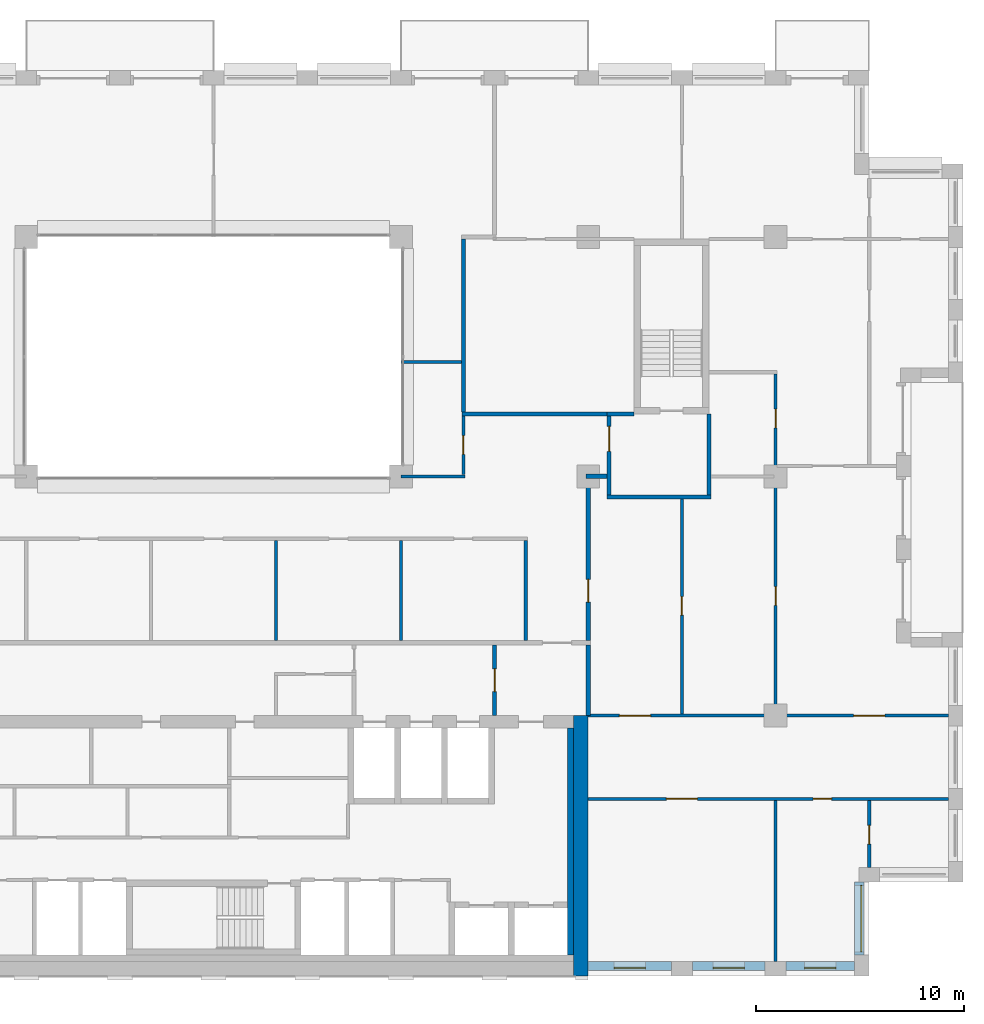
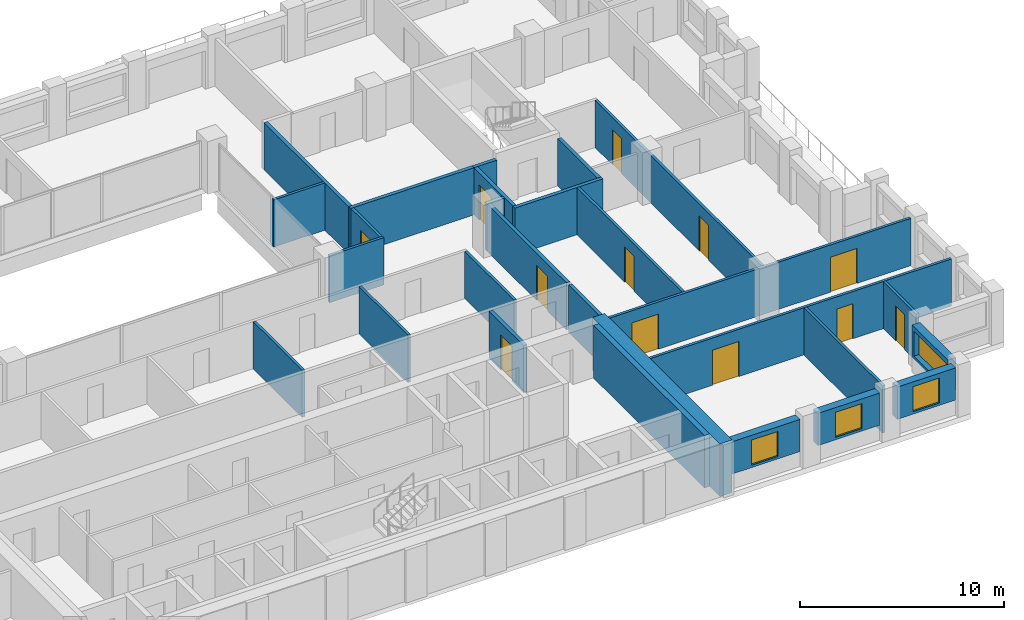
# One storey, part 11 of 16: 28 walls, 12 doors, 4 windows, 16 openings.
"""IFC4 building model written with IfcOpenShell, lengths in metres."""

from ifc_helpers import new_model, si_unit, direction, frame, frame_2d, origin, place, context, subcontext, project, spatial, rectangle, extrude, material, layer, layer_set, type_object, element, fill, save


model = new_model("IFC4")

# Units and contexts
model_context = context("Model", 3, precision=1e-05, world=origin(), true_north=direction((0.0, 1.0)))
body_context = subcontext(model_context, "Body", "Model", "MODEL_VIEW")
ifc_project = project(units=[si_unit("LENGTHUNIT", "METRE"), si_unit("AREAUNIT", "SQUARE_METRE"), si_unit("VOLUMEUNIT", "CUBIC_METRE"), si_unit("PLANEANGLEUNIT", "RADIAN"), si_unit("MASSUNIT", "GRAM", prefix="KILO")], contexts=[model_context])

# Site, building, storey
site_placement = place(None, origin())
site = spatial("IfcSite", under=ifc_project, at=site_placement, CompositionType="ELEMENT")
building_placement = place(site_placement, origin())
building = spatial("IfcBuilding", under=site, at=building_placement, Name="Brigalow Station Residences", CompositionType="ELEMENT")
storey_placement = place(building_placement, frame((0.0, 0.0, 160.199951171875)))
storey = spatial("IfcBuildingStorey", under=building, at=storey_placement, Name="L46", CompositionType="ELEMENT", Elevation=160.199951171875)

# Wall, opening, window
ifc_material_1 = material(Name="Clay brick masonry", Category="masonry")
ifc_layer_1 = layer(ifc_material_1, 0.449951171875)
ifc_layer_set_1 = layer_set([ifc_layer_1], Name="BRICK INFILL WALL 450")
wall_type_1 = type_object("IfcWallType", Name="BRICK INFILL WALL 450", PredefinedType="SOLIDWALL", material=ifc_layer_set_1)
wall_1_placement = place(storey_placement, frame((54.0, 0.47509765625, 0.900146484375), z_axis=(0.0, 0.0, 1.0), x_axis=(1.0, 0.0, 0.0)))
wall_1 = element("IfcWall", 1, at=wall_1_placement, inside=storey, type_object=wall_type_1, Name="L46/ewall/W-L46-4", PredefinedType="SOLIDWALL", context=body_context, shape_type="SweptSolid", body=[
    extrude(rectangle(XDim=4.0, YDim=0.449951171875, at=frame_2d((2.0, 0.0))), origin(), (0.0, 0.0, 1.0), 1.929931640625),
])
opening_1_placement = place(wall_1_placement, frame((1.25, 0.0, 0.14990234375)))
opening_1 = element("IfcOpeningElement", 2, at=opening_1_placement, cuts=wall_1, Name="Opening WT-1", PredefinedType="OPENING", context=body_context, shape_type="SweptSolid", body=[
    extrude(rectangle(XDim=1.5, YDim=1.5, at=frame_2d((0.75, 0.75))), frame((0.0, 0.23486328125, 0.0), z_axis=(0.0, -1.0, 0.0), x_axis=(1.0, 0.0, 0.0)), (0.0, 0.0, 1.0), 0.469970703125),
])
ifc_material_2 = material(Name="Anodised aluminium frame with double glazing", Category="aluminium")
window_type_1 = type_object("IfcWindowType", Name="WINDOW 1500x1500", PartitioningType="SINGLE_PANEL", PredefinedType="WINDOW", material=ifc_material_2)
window_1_placement = place(opening_1_placement, origin())
window_1 = element("IfcWindow", 3, at=window_1_placement, inside=storey, type_object=window_type_1, Name="L46/window/W-L46-4", OverallHeight=1.5, OverallWidth=1.5, PartitioningType="SINGLE_PANEL", PredefinedType="WINDOW", context=body_context, shape_type="SweptSolid", body=[
    extrude(rectangle(XDim=1.5, YDim=1.5, at=frame_2d((0.75, 0.75))), frame((0.0, -0.06494140625, 0.0), z_axis=(0.0, -1.0, 0.0), x_axis=(1.0, 0.0, 0.0)), (0.0, 0.0, 1.0), 0.06005859375),
])
fill(opening_1, window_1)

wall_2_placement = place(storey_placement, frame((59.0, 0.47509765625, 0.900146484375), z_axis=(0.0, 0.0, 1.0), x_axis=(1.0, 0.0, 0.0)))
wall_2 = element("IfcWall", 4, at=wall_2_placement, inside=storey, type_object=wall_type_1, Name="L46/ewall/W-L46-5", PredefinedType="SOLIDWALL", context=body_context, shape_type="SweptSolid", body=[
    extrude(rectangle(XDim=3.5, YDim=0.449951171875, at=frame_2d((1.75, 0.0))), origin(), (0.0, 0.0, 1.0), 1.929931640625),
])
opening_2_placement = place(wall_2_placement, frame((1.0, 0.0, 0.14990234375)))
opening_2 = element("IfcOpeningElement", 5, at=opening_2_placement, cuts=wall_2, Name="Opening WT-1", PredefinedType="OPENING", context=body_context, shape_type="SweptSolid", body=[
    extrude(rectangle(XDim=1.5, YDim=1.5, at=frame_2d((0.75, 0.75))), frame((0.0, 0.23486328125, 0.0), z_axis=(0.0, -1.0, 0.0), x_axis=(1.0, 0.0, 0.0)), (0.0, 0.0, 1.0), 0.469970703125),
])
window_2_placement = place(opening_2_placement, origin())
window_2 = element("IfcWindow", 6, at=window_2_placement, inside=storey, type_object=window_type_1, Name="L46/window/W-L46-5", OverallHeight=1.5, OverallWidth=1.5, PartitioningType="SINGLE_PANEL", PredefinedType="WINDOW", context=body_context, shape_type="SweptSolid", body=[
    extrude(rectangle(XDim=1.5, YDim=1.5, at=frame_2d((0.75, 0.75))), frame((0.0, -0.06494140625, 0.0), z_axis=(0.0, -1.0, 0.0), x_axis=(1.0, 0.0, 0.0)), (0.0, 0.0, 1.0), 0.06005859375),
])
fill(opening_2, window_2)

wall_3_placement = place(storey_placement, frame((63.5, 0.47509765625, 0.900146484375), z_axis=(0.0, 0.0, 1.0), x_axis=(1.0, 0.0, 0.0)))
wall_3 = element("IfcWall", 7, at=wall_3_placement, inside=storey, type_object=wall_type_1, Name="L46/ewall/W-L46-6", PredefinedType="SOLIDWALL", context=body_context, shape_type="SweptSolid", body=[
    extrude(rectangle(XDim=3.300048828125, YDim=0.449951171875, at=frame_2d((1.64990234375, 0.0))), origin(), (0.0, 0.0, 1.0), 1.929931640625),
])
opening_3_placement = place(wall_3_placement, frame((0.89990234375, 0.0, 0.14990234375)))
opening_3 = element("IfcOpeningElement", 8, at=opening_3_placement, cuts=wall_3, Name="Opening WT-1", PredefinedType="OPENING", context=body_context, shape_type="SweptSolid", body=[
    extrude(rectangle(XDim=1.5, YDim=1.5, at=frame_2d((0.75, 0.75))), frame((0.0, 0.23486328125, 0.0), z_axis=(0.0, -1.0, 0.0), x_axis=(1.0, 0.0, 0.0)), (0.0, 0.0, 1.0), 0.469970703125),
])
window_3_placement = place(opening_3_placement, origin())
window_3 = element("IfcWindow", 9, at=window_3_placement, inside=storey, type_object=window_type_1, Name="L46/window/W-L46-6", OverallHeight=1.5, OverallWidth=1.5, PartitioningType="SINGLE_PANEL", PredefinedType="WINDOW", context=body_context, shape_type="SweptSolid", body=[
    extrude(rectangle(XDim=1.5, YDim=1.5, at=frame_2d((0.75, 0.75))), frame((0.0, -0.06494140625, 0.0), z_axis=(0.0, -1.0, 0.0), x_axis=(1.0, 0.0, 0.0)), (0.0, 0.0, 1.0), 0.06005859375),
])
fill(opening_3, window_3)

wall_4_placement = place(storey_placement, frame((67.02490234375, 1.0, 0.900146484375), z_axis=(0.0, 0.0, 1.0), x_axis=(0.0, 1.0, 0.0)))
wall_4 = element("IfcWall", 10, at=wall_4_placement, inside=storey, type_object=wall_type_1, Name="L46/ewall/W-L46-7", PredefinedType="SOLIDWALL", context=body_context, shape_type="SweptSolid", body=[
    extrude(rectangle(XDim=3.5, YDim=0.449951171875, at=frame_2d((1.75, 0.0))), origin(), (0.0, 0.0, 1.0), 1.929931640625),
])
opening_4_placement = place(wall_4_placement, frame((0.14990234375, 0.0, 0.14990234375)))
opening_4 = element("IfcOpeningElement", 11, at=opening_4_placement, cuts=wall_4, Name="Opening WT-9", PredefinedType="OPENING", context=body_context, shape_type="SweptSolid", body=[
    extrude(rectangle(XDim=3.199951171875, YDim=1.5, at=frame_2d((1.60009765625, 0.75))), frame((0.0, 0.23486328125, 0.0), z_axis=(0.0, -1.0, 0.0), x_axis=(1.0, 0.0, 0.0)), (0.0, 0.0, 1.0), 0.469970703125),
])
ifc_material_3 = material(Name="Anodised aluminium frame with double glazing", Category="aluminium")
window_type_2 = type_object("IfcWindowType", Name="WINDOW 3200x1500", PartitioningType="SINGLE_PANEL", PredefinedType="WINDOW", material=ifc_material_3)
window_4_placement = place(opening_4_placement, origin())
window_4 = element("IfcWindow", 12, at=window_4_placement, inside=storey, type_object=window_type_2, Name="L46/window/W-L46-7", OverallHeight=1.5, OverallWidth=3.199951171875, PartitioningType="SINGLE_PANEL", PredefinedType="WINDOW", context=body_context, shape_type="SweptSolid", body=[
    extrude(rectangle(XDim=3.199951171875, YDim=1.5, at=frame_2d((1.60009765625, 0.75))), frame((0.0, -0.06494140625, 0.0), z_axis=(0.0, -1.0, 0.0), x_axis=(1.0, 0.0, 0.0)), (0.0, 0.0, 1.0), 0.06005859375),
])
fill(opening_4, window_4)

# Walls
ifc_material_4 = material(Name="Concrete C65", Category="concrete")
ifc_layer_2 = layer(ifc_material_4, 0.300048828125)
ifc_layer_set_2 = layer_set([ifc_layer_2], Name="CORE SHEAR WALL 300 C65")
wall_type_2 = type_object("IfcWallType", Name="CORE SHEAR WALL 300 C65", PredefinedType="SHEAR", material=ifc_layer_set_2)
wall_5_placement = place(storey_placement, frame((53.14990234375, 1.0, 0.0), z_axis=(0.0, 0.0, 1.0), x_axis=(0.0, 1.0, 0.0)))
element("IfcWall", 13, at=wall_5_placement, inside=storey, type_object=wall_type_2, Name="CORE WALL LIN-E L46", PredefinedType="SHEAR", context=body_context, shape_type="SweptSolid", body=[
    extrude(rectangle(XDim=10.89990234375, YDim=0.300048828125, at=frame_2d((5.449951171875, 0.0))), origin(), (0.0, 0.0, 1.0), 3.150146484375),
])
ifc_material_5 = material(Name="Concrete C65", Category="concrete")
ifc_layer_3 = layer(ifc_material_5, 0.699951171875)
ifc_layer_set_3 = layer_set([ifc_layer_3], Name="CORE SHEAR WALL 700 C65")
wall_type_3 = type_object("IfcWallType", Name="CORE SHEAR WALL 700 C65", PredefinedType="SHEAR", material=ifc_layer_set_3)
wall_6_placement = place(storey_placement, frame((53.64990234375, 0.0, 0.0), z_axis=(0.0, 0.0, 1.0), x_axis=(0.0, 1.0, 0.0)))
element("IfcWall", 14, at=wall_6_placement, inside=storey, type_object=wall_type_3, Name="CORE WALL OUT-E L46", PredefinedType="SHEAR", context=body_context, shape_type="SweptSolid", body=[
    extrude(rectangle(XDim=12.5, YDim=0.699951171875, at=frame_2d((6.25, 0.0))), origin(), (0.0, 0.0, 1.0), 3.150146484375),
])
ifc_material_6 = material(Name="Concrete blockwork", Category="masonry")
ifc_layer_4 = layer(ifc_material_6, 0.199951171875)
ifc_layer_set_4 = layer_set([ifc_layer_4], Name="FIRE RATED CORE PARTITION 200")
wall_type_4 = type_object("IfcWallType", Name="FIRE RATED CORE PARTITION 200", PredefinedType="PARTITIONING", material=ifc_layer_set_4)
wall_7_placement = place(storey_placement, frame((54.89990234375, 23.0, 0.0), z_axis=(0.0, 0.0, 1.0), x_axis=(1.0, 0.0, 0.0)))
element("IfcWall", 15, at=wall_7_placement, inside=storey, type_object=wall_type_4, Name="PW-5024", PredefinedType="PARTITIONING", context=body_context, shape_type="SweptSolid", body=[
    extrude(rectangle(XDim=5.0, YDim=0.199951171875, at=frame_2d((2.5, 0.0))), origin(), (0.0, 0.0, 1.0), 2.830078125),
])
wall_8_placement = place(storey_placement, frame((54.89990234375, 27.0, 0.0), z_axis=(0.0, 0.0, 1.0), x_axis=(1.0, 0.0, 0.0)))
element("IfcWall", 16, at=wall_8_placement, inside=storey, type_object=wall_type_4, Name="PW-5026", PredefinedType="PARTITIONING", context=body_context, shape_type="SweptSolid", body=[
    extrude(rectangle(XDim=1.300048828125, YDim=0.199951171875, at=frame_2d((0.64990234375, 0.0))), origin(), (0.0, 0.0, 1.0), 2.830078125),
])

# Wall, opening, door
wall_9_placement = place(storey_placement, frame((49.5, 12.5, 0.0), z_axis=(0.0, 0.0, 1.0), x_axis=(0.0, 1.0, 0.0)))
wall_9 = element("IfcWall", 17, at=wall_9_placement, inside=storey, type_object=wall_type_4, Name="PW-5015", PredefinedType="PARTITIONING", context=body_context, shape_type="SweptSolid", body=[
    extrude(rectangle(XDim=3.39990234375, YDim=0.199951171875, at=frame_2d((1.699951171875, 0.0))), origin(), (0.0, 0.0, 1.0), 2.830078125),
])
opening_5_placement = place(wall_9_placement, frame((1.14990234375, 0.0, 0.0)))
opening_5 = element("IfcOpeningElement", 18, at=opening_5_placement, cuts=wall_9, Name="Opening D-5014", PredefinedType="OPENING", context=body_context, shape_type="SweptSolid", body=[
    extrude(rectangle(XDim=1.10009765625, YDim=2.10009765625, at=frame_2d((0.550048828125, 1.050048828125))), frame((0.0, 0.10986328125, 0.0), z_axis=(0.0, -1.0, 0.0), x_axis=(1.0, 0.0, 0.0)), (0.0, 0.0, 1.0), 0.219970703125),
])
ifc_material_7 = material(Name="Steel fire door leaf in steel frame", Category="steel")
door_type_1 = type_object("IfcDoorType", Name="LOBBY DOOR 1100 x 2100 FD60S", OperationType="SINGLE_SWING_LEFT", PredefinedType="DOOR", material=ifc_material_7)
door_1_placement = place(opening_5_placement, origin())
door_1 = element("IfcDoor", 19, at=door_1_placement, inside=storey, type_object=door_type_1, Name="D-5014", OperationType="SINGLE_SWING_LEFT", OverallHeight=2.10009765625, OverallWidth=1.10009765625, PredefinedType="DOOR", context=body_context, shape_type="SweptSolid", body=[
    extrude(rectangle(XDim=1.10009765625, YDim=2.10009765625, at=frame_2d((0.550048828125, 1.050048828125))), frame((0.0, 0.02490234375, 0.0), z_axis=(0.0, -1.0, 0.0), x_axis=(1.0, 0.0, 0.0)), (0.0, 0.0, 1.0), 0.050048828125),
])
fill(opening_5, door_1)

# Wall
wall_10_placement = place(storey_placement, frame((54.0, 12.5, 0.0), z_axis=(0.0, 0.0, 1.0), x_axis=(0.0, 1.0, 0.0)))
element("IfcWall", 20, at=wall_10_placement, inside=storey, type_object=wall_type_4, Name="PW-5016", PredefinedType="PARTITIONING", context=body_context, shape_type="SweptSolid", body=[
    extrude(rectangle(XDim=3.39990234375, YDim=0.199951171875, at=frame_2d((1.699951171875, 0.0))), origin(), (0.0, 0.0, 1.0), 2.830078125),
])

# Wall, opening, door
wall_11_placement = place(storey_placement, frame((55.0, 23.10009765625, 0.0), z_axis=(0.0, 0.0, 1.0), x_axis=(0.0, 1.0, 0.0)))
wall_11 = element("IfcWall", 21, at=wall_11_placement, inside=storey, type_object=wall_type_4, Name="PW-5036", PredefinedType="PARTITIONING", context=body_context, shape_type="SweptSolid", body=[
    extrude(rectangle(XDim=3.7998046875, YDim=0.199951171875, at=frame_2d((1.89990234375, 0.0))), origin(), (0.0, 0.0, 1.0), 2.830078125),
])
opening_6_placement = place(wall_11_placement, frame((2.10009765625, 0.0, 0.0)))
opening_6 = element("IfcOpeningElement", 22, at=opening_6_placement, cuts=wall_11, Name="Opening D-5019", PredefinedType="OPENING", context=body_context, shape_type="SweptSolid", body=[
    extrude(rectangle(XDim=1.199951171875, YDim=2.10009765625, at=frame_2d((0.60009765625, 1.050048828125))), frame((0.0, 0.10986328125, 0.0), z_axis=(0.0, -1.0, 0.0), x_axis=(1.0, 0.0, 0.0)), (0.0, 0.0, 1.0), 0.219970703125),
])
ifc_material_8 = material(Name="Steel fire door leaf in steel frame", Category="steel")
door_type_2 = type_object("IfcDoorType", Name="STAIR LOBBY DOOR 1200 x 2100 FD60S", OperationType="SINGLE_SWING_LEFT", PredefinedType="DOOR", material=ifc_material_8)
door_2_placement = place(opening_6_placement, frame((1.199951171875, 0.0, 0.0), z_axis=(0.0, 0.0, 1.0), x_axis=(-1.0, 0.0, 0.0)))
door_2 = element("IfcDoor", 23, at=door_2_placement, inside=storey, type_object=door_type_2, Name="D-5019", OperationType="SINGLE_SWING_LEFT", OverallHeight=2.10009765625, OverallWidth=1.199951171875, PredefinedType="DOOR", context=body_context, shape_type="SweptSolid", body=[
    extrude(rectangle(XDim=1.199951171875, YDim=2.10009765625, at=frame_2d((0.60009765625, 1.050048828125))), frame((0.0, 0.02490234375, 0.0), z_axis=(0.0, -1.0, 0.0), x_axis=(1.0, 0.0, 0.0)), (0.0, 0.0, 1.0), 0.050048828125),
])
fill(opening_6, door_2)

# Walls
wall_12_placement = place(storey_placement, frame((59.800048828125, 23.10009765625, 0.0), z_axis=(0.0, 0.0, 1.0), x_axis=(0.0, 1.0, 0.0)))
element("IfcWall", 24, at=wall_12_placement, inside=storey, type_object=wall_type_4, Name="PW-5037", PredefinedType="PARTITIONING", context=body_context, shape_type="SweptSolid", body=[
    extrude(rectangle(XDim=3.89990234375, YDim=0.199951171875, at=frame_2d((1.949951171875, 0.0))), origin(), (0.0, 0.0, 1.0), 2.830078125),
])
ifc_material_9 = material(Name="Plasterboard on steel stud partition", Category="steel")
ifc_layer_5 = layer(ifc_material_9, 0.14990234375)
ifc_layer_set_5 = layer_set([ifc_layer_5], Name="FLAT PARTITION 150")
wall_type_5 = type_object("IfcWallType", Name="FLAT PARTITION 150", PredefinedType="PARTITIONING", material=ifc_layer_set_5)
wall_13_placement = place(storey_placement, frame((45.0, 24.0, 0.0), z_axis=(0.0, 0.0, 1.0), x_axis=(1.0, 0.0, 0.0)))
element("IfcWall", 25, at=wall_13_placement, inside=storey, type_object=wall_type_5, Name="PW-3C02", PredefinedType="PARTITIONING", context=body_context, shape_type="SweptSolid", body=[
    extrude(rectangle(XDim=3.074951171875, YDim=0.14990234375, at=frame_2d((1.53759765625, 0.0))), origin(), (0.0, 0.0, 1.0), 2.830078125),
])

# Wall, openings, doors
wall_14_placement = place(storey_placement, frame((54.0, 8.5, 0.0), z_axis=(0.0, 0.0, 1.0), x_axis=(1.0, 0.0, 0.0)))
wall_14 = element("IfcWall", 26, at=wall_14_placement, inside=storey, type_object=wall_type_5, Name="PW-3C10", PredefinedType="PARTITIONING", context=body_context, shape_type="SweptSolid", body=[
    extrude(rectangle(XDim=17.300048828125, YDim=0.14990234375, at=frame_2d((8.64990234375, 0.0))), origin(), (0.0, 0.0, 1.0), 2.830078125),
])
opening_7_placement = place(wall_14_placement, frame((3.75, 0.0, 0.0)))
opening_7 = element("IfcOpeningElement", 27, at=opening_7_placement, cuts=wall_14, Name="Opening D-3C18", PredefinedType="OPENING", context=body_context, shape_type="SweptSolid", body=[
    extrude(rectangle(XDim=1.5, YDim=2.10009765625, at=frame_2d((0.75, 1.050048828125))), frame((0.0, 0.0849609375, 0.0), z_axis=(0.0, -1.0, 0.0), x_axis=(1.0, 0.0, 0.0)), (0.0, 0.0, 1.0), 0.169921875),
])
opening_8_placement = place(wall_14_placement, frame((10.800048828125, 0.0, 0.0)))
opening_8 = element("IfcOpeningElement", 28, at=opening_8_placement, cuts=wall_14, Name="Opening D-3C19", PredefinedType="OPENING", context=body_context, shape_type="SweptSolid", body=[
    extrude(rectangle(XDim=0.89990234375, YDim=2.10009765625, at=frame_2d((0.449951171875, 1.050048828125))), frame((0.0, 0.0849609375, 0.0), z_axis=(0.0, -1.0, 0.0), x_axis=(1.0, 0.0, 0.0)), (0.0, 0.0, 1.0), 0.169921875),
])
ifc_material_10 = material(Name="Solid-core timber door leaf", Category="wood")
door_type_3 = type_object("IfcDoorType", Name="INTERNAL DOOR 900 x 2100", OperationType="SINGLE_SWING_LEFT", PredefinedType="DOOR", material=ifc_material_10)
door_3_placement = place(opening_8_placement, frame((0.89990234375, 0.0, 0.0), z_axis=(0.0, 0.0, 1.0), x_axis=(-1.0, 0.0, 0.0)))
door_3 = element("IfcDoor", 29, at=door_3_placement, inside=storey, type_object=door_type_3, Name="D-3C19", OperationType="SINGLE_SWING_LEFT", OverallHeight=2.10009765625, OverallWidth=0.89990234375, PredefinedType="DOOR", context=body_context, shape_type="SweptSolid", body=[
    extrude(rectangle(XDim=0.89990234375, YDim=2.10009765625, at=frame_2d((0.449951171875, 1.050048828125))), frame((0.0, 0.02490234375, 0.0), z_axis=(0.0, -1.0, 0.0), x_axis=(1.0, 0.0, 0.0)), (0.0, 0.0, 1.0), 0.050048828125),
])
fill(opening_8, door_3)
ifc_material_11 = material(Name="Solid-core timber door leaf", Category="wood")
door_type_4 = type_object("IfcDoorType", Name="INTERNAL DOUBLE DOOR 1500 x 2100", OperationType="DOUBLE_DOOR_SINGLE_SWING", PredefinedType="DOOR", material=ifc_material_11)
door_4_placement = place(opening_7_placement, origin())
door_4 = element("IfcDoor", 30, at=door_4_placement, inside=storey, type_object=door_type_4, Name="D-3C18", OperationType="DOUBLE_DOOR_SINGLE_SWING", OverallHeight=2.10009765625, OverallWidth=1.5, PredefinedType="DOOR", context=body_context, shape_type="SweptSolid", body=[
    extrude(rectangle(XDim=1.5, YDim=2.10009765625, at=frame_2d((0.75, 1.050048828125))), frame((0.0, 0.02490234375, 0.0), z_axis=(0.0, -1.0, 0.0), x_axis=(1.0, 0.0, 0.0)), (0.0, 0.0, 1.0), 0.050048828125),
])
fill(opening_7, door_4)

wall_15_placement = place(storey_placement, frame((54.0, 12.5, 0.0), z_axis=(0.0, 0.0, 1.0), x_axis=(1.0, 0.0, 0.0)))
wall_15 = element("IfcWall", 31, at=wall_15_placement, inside=storey, type_object=wall_type_5, Name="PW-3C13", PredefinedType="PARTITIONING", context=body_context, shape_type="SweptSolid", body=[
    extrude(rectangle(XDim=17.300048828125, YDim=0.14990234375, at=frame_2d((8.64990234375, 0.0))), origin(), (0.0, 0.0, 1.0), 2.830078125),
])
opening_9_placement = place(wall_15_placement, frame((1.5, 0.0, 0.0)))
opening_9 = element("IfcOpeningElement", 32, at=opening_9_placement, cuts=wall_15, Name="Opening D-3C16", PredefinedType="OPENING", context=body_context, shape_type="SweptSolid", body=[
    extrude(rectangle(XDim=1.5, YDim=2.10009765625, at=frame_2d((0.75, 1.050048828125))), frame((0.0, 0.0849609375, 0.0), z_axis=(0.0, -1.0, 0.0), x_axis=(1.0, 0.0, 0.0)), (0.0, 0.0, 1.0), 0.169921875),
])
opening_10_placement = place(wall_15_placement, frame((12.75, 0.0, 0.0)))
opening_10 = element("IfcOpeningElement", 33, at=opening_10_placement, cuts=wall_15, Name="Opening D-3C21", PredefinedType="OPENING", context=body_context, shape_type="SweptSolid", body=[
    extrude(rectangle(XDim=1.5, YDim=2.10009765625, at=frame_2d((0.75, 1.050048828125))), frame((0.0, 0.0849609375, 0.0), z_axis=(0.0, -1.0, 0.0), x_axis=(1.0, 0.0, 0.0)), (0.0, 0.0, 1.0), 0.169921875),
])
door_5_placement = place(opening_9_placement, origin())
door_5 = element("IfcDoor", 34, at=door_5_placement, inside=storey, type_object=door_type_4, Name="D-3C16", OperationType="DOUBLE_DOOR_SINGLE_SWING", OverallHeight=2.10009765625, OverallWidth=1.5, PredefinedType="DOOR", context=body_context, shape_type="SweptSolid", body=[
    extrude(rectangle(XDim=1.5, YDim=2.10009765625, at=frame_2d((0.75, 1.050048828125))), frame((0.0, 0.02490234375, 0.0), z_axis=(0.0, -1.0, 0.0), x_axis=(1.0, 0.0, 0.0)), (0.0, 0.0, 1.0), 0.050048828125),
])
fill(opening_9, door_5)
door_6_placement = place(opening_10_placement, frame((1.5, 0.0, 0.0), z_axis=(0.0, 0.0, 1.0), x_axis=(-1.0, 0.0, 0.0)))
door_6 = element("IfcDoor", 35, at=door_6_placement, inside=storey, type_object=door_type_4, Name="D-3C21", OperationType="DOUBLE_DOOR_SINGLE_SWING", OverallHeight=2.10009765625, OverallWidth=1.5, PredefinedType="DOOR", context=body_context, shape_type="SweptSolid", body=[
    extrude(rectangle(XDim=1.5, YDim=2.10009765625, at=frame_2d((0.75, 1.050048828125))), frame((0.0, 0.02490234375, 0.0), z_axis=(0.0, -1.0, 0.0), x_axis=(1.0, 0.0, 0.0)), (0.0, 0.0, 1.0), 0.050048828125),
])
fill(opening_10, door_6)

# Walls
wall_16_placement = place(storey_placement, frame((45.0, 29.5, 0.0), z_axis=(0.0, 0.0, 1.0), x_axis=(1.0, 0.0, 0.0)))
element("IfcWall", 36, at=wall_16_placement, inside=storey, type_object=wall_type_5, Name="PW-3C25", PredefinedType="PARTITIONING", context=body_context, shape_type="SweptSolid", body=[
    extrude(rectangle(XDim=2.89990234375, YDim=0.14990234375, at=frame_2d((1.449951171875, 0.0))), origin(), (0.0, 0.0, 1.0), 2.830078125),
])
wall_17_placement = place(storey_placement, frame((51.0, 16.10009765625, 0.0), z_axis=(0.0, 0.0, 1.0), x_axis=(0.0, 1.0, 0.0)))
element("IfcWall", 37, at=wall_17_placement, inside=storey, type_object=wall_type_5, Name="PW-3C31", PredefinedType="PARTITIONING", context=body_context, shape_type="SweptSolid", body=[
    extrude(rectangle(XDim=4.824951171875, YDim=0.14990234375, at=frame_2d((2.41259765625, 0.0))), origin(), (0.0, 0.0, 1.0), 2.830078125),
])

# Wall, opening, door
wall_18_placement = place(storey_placement, frame((48.0, 24.074951171875, 0.0), z_axis=(0.0, 0.0, 1.0), x_axis=(0.0, 1.0, 0.0)))
wall_18 = element("IfcWall", 38, at=wall_18_placement, inside=storey, type_object=wall_type_5, Name="PW-3C34", PredefinedType="PARTITIONING", context=body_context, shape_type="SweptSolid", body=[
    extrude(rectangle(XDim=2.824951171875, YDim=0.14990234375, at=frame_2d((1.41259765625, 0.0))), origin(), (0.0, 0.0, 1.0), 2.830078125),
])
opening_11_placement = place(wall_18_placement, frame((0.97509765625, 0.0, 0.0)))
opening_11 = element("IfcOpeningElement", 39, at=opening_11_placement, cuts=wall_18, Name="Opening D-3C32", PredefinedType="OPENING", context=body_context, shape_type="SweptSolid", body=[
    extrude(rectangle(XDim=0.89990234375, YDim=2.10009765625, at=frame_2d((0.449951171875, 1.050048828125))), frame((0.0, 0.0849609375, 0.0), z_axis=(0.0, -1.0, 0.0), x_axis=(1.0, 0.0, 0.0)), (0.0, 0.0, 1.0), 0.169921875),
])
door_7_placement = place(opening_11_placement, origin())
door_7 = element("IfcDoor", 40, at=door_7_placement, inside=storey, type_object=door_type_3, Name="D-3C32", OperationType="SINGLE_SWING_LEFT", OverallHeight=2.10009765625, OverallWidth=0.89990234375, PredefinedType="DOOR", context=body_context, shape_type="SweptSolid", body=[
    extrude(rectangle(XDim=0.89990234375, YDim=2.10009765625, at=frame_2d((0.449951171875, 1.050048828125))), frame((0.0, 0.02490234375, 0.0), z_axis=(0.0, -1.0, 0.0), x_axis=(1.0, 0.0, 0.0)), (0.0, 0.0, 1.0), 0.050048828125),
])
fill(opening_11, door_7)

wall_19_placement = place(storey_placement, frame((58.5, 12.574951171875, 0.0), z_axis=(0.0, 0.0, 1.0), x_axis=(0.0, 1.0, 0.0)))
wall_19 = element("IfcWall", 41, at=wall_19_placement, inside=storey, type_object=wall_type_5, Name="PW-3C41", PredefinedType="PARTITIONING", context=body_context, shape_type="SweptSolid", body=[
    extrude(rectangle(XDim=10.324951171875, YDim=0.14990234375, at=frame_2d((5.16259765625, 0.0))), origin(), (0.0, 0.0, 1.0), 2.830078125),
])
opening_12_placement = place(wall_19_placement, frame((4.75, 0.0, 0.0)))
opening_12 = element("IfcOpeningElement", 42, at=opening_12_placement, cuts=wall_19, Name="Opening D-3C17", PredefinedType="OPENING", context=body_context, shape_type="SweptSolid", body=[
    extrude(rectangle(XDim=0.89990234375, YDim=2.10009765625, at=frame_2d((0.449951171875, 1.050048828125))), frame((0.0, 0.0849609375, 0.0), z_axis=(0.0, -1.0, 0.0), x_axis=(1.0, 0.0, 0.0)), (0.0, 0.0, 1.0), 0.169921875),
])
door_8_placement = place(opening_12_placement, origin())
door_8 = element("IfcDoor", 43, at=door_8_placement, inside=storey, type_object=door_type_3, Name="D-3C17", OperationType="SINGLE_SWING_RIGHT", OverallHeight=2.10009765625, OverallWidth=0.89990234375, PredefinedType="DOOR", context=body_context, shape_type="SweptSolid", body=[
    extrude(rectangle(XDim=0.89990234375, YDim=2.10009765625, at=frame_2d((0.449951171875, 1.050048828125))), frame((0.0, 0.02490234375, 0.0), z_axis=(0.0, -1.0, 0.0), x_axis=(1.0, 0.0, 0.0)), (0.0, 0.0, 1.0), 0.050048828125),
])
fill(opening_12, door_8)

# Wall
wall_20_placement = place(storey_placement, frame((63.0, 0.699951171875, 0.0), z_axis=(0.0, 0.0, 1.0), x_axis=(0.0, 1.0, 0.0)))
element("IfcWall", 44, at=wall_20_placement, inside=storey, type_object=wall_type_5, Name="PW-3C43", PredefinedType="PARTITIONING", context=body_context, shape_type="SweptSolid", body=[
    extrude(rectangle(XDim=7.72509765625, YDim=0.14990234375, at=frame_2d((3.862548828125, 0.0))), origin(), (0.0, 0.0, 1.0), 2.830078125),
])

# Wall, openings, doors
wall_21_placement = place(storey_placement, frame((63.0, 12.574951171875, 0.0), z_axis=(0.0, 0.0, 1.0), x_axis=(0.0, 1.0, 0.0)))
wall_21 = element("IfcWall", 45, at=wall_21_placement, inside=storey, type_object=wall_type_5, Name="PW-3C44", PredefinedType="PARTITIONING", context=body_context, shape_type="SweptSolid", body=[
    extrude(rectangle(XDim=16.35009765625, YDim=0.14990234375, at=frame_2d((8.175048828125, 0.0))), origin(), (0.0, 0.0, 1.0), 2.830078125),
])
opening_13_placement = place(wall_21_placement, frame((5.22509765625, 0.0, 0.0)))
opening_13 = element("IfcOpeningElement", 46, at=opening_13_placement, cuts=wall_21, Name="Opening D-3C22", PredefinedType="OPENING", context=body_context, shape_type="SweptSolid", body=[
    extrude(rectangle(XDim=0.89990234375, YDim=2.10009765625, at=frame_2d((0.449951171875, 1.050048828125))), frame((0.0, 0.0849609375, 0.0), z_axis=(0.0, -1.0, 0.0), x_axis=(1.0, 0.0, 0.0)), (0.0, 0.0, 1.0), 0.169921875),
])
opening_14_placement = place(wall_21_placement, frame((13.75, 0.0, 0.0)))
opening_14 = element("IfcOpeningElement", 47, at=opening_14_placement, cuts=wall_21, Name="Opening D-3C24", PredefinedType="OPENING", context=body_context, shape_type="SweptSolid", body=[
    extrude(rectangle(XDim=0.89990234375, YDim=2.10009765625, at=frame_2d((0.449951171875, 1.050048828125))), frame((0.0, 0.0849609375, 0.0), z_axis=(0.0, -1.0, 0.0), x_axis=(1.0, 0.0, 0.0)), (0.0, 0.0, 1.0), 0.169921875),
])
door_9_placement = place(opening_13_placement, origin())
door_9 = element("IfcDoor", 48, at=door_9_placement, inside=storey, type_object=door_type_3, Name="D-3C22", OperationType="SINGLE_SWING_RIGHT", OverallHeight=2.10009765625, OverallWidth=0.89990234375, PredefinedType="DOOR", context=body_context, shape_type="SweptSolid", body=[
    extrude(rectangle(XDim=0.89990234375, YDim=2.10009765625, at=frame_2d((0.449951171875, 1.050048828125))), frame((0.0, 0.02490234375, 0.0), z_axis=(0.0, -1.0, 0.0), x_axis=(1.0, 0.0, 0.0)), (0.0, 0.0, 1.0), 0.050048828125),
])
fill(opening_13, door_9)
door_10_placement = place(opening_14_placement, origin())
door_10 = element("IfcDoor", 49, at=door_10_placement, inside=storey, type_object=door_type_3, Name="D-3C24", OperationType="SINGLE_SWING_RIGHT", OverallHeight=2.10009765625, OverallWidth=0.89990234375, PredefinedType="DOOR", context=body_context, shape_type="SweptSolid", body=[
    extrude(rectangle(XDim=0.89990234375, YDim=2.10009765625, at=frame_2d((0.449951171875, 1.050048828125))), frame((0.0, 0.02490234375, 0.0), z_axis=(0.0, -1.0, 0.0), x_axis=(1.0, 0.0, 0.0)), (0.0, 0.0, 1.0), 0.050048828125),
])
fill(opening_14, door_10)

# Wall, opening, door
wall_22_placement = place(storey_placement, frame((67.5, 5.199951171875, 0.0), z_axis=(0.0, 0.0, 1.0), x_axis=(0.0, 1.0, 0.0)))
wall_22 = element("IfcWall", 50, at=wall_22_placement, inside=storey, type_object=wall_type_5, Name="PW-3C45", PredefinedType="PARTITIONING", context=body_context, shape_type="SweptSolid", body=[
    extrude(rectangle(XDim=3.22509765625, YDim=0.14990234375, at=frame_2d((1.612548828125, 0.0))), origin(), (0.0, 0.0, 1.0), 2.830078125),
])
opening_15_placement = place(wall_22_placement, frame((1.125, 0.0, 0.0)))
opening_15 = element("IfcOpeningElement", 51, at=opening_15_placement, cuts=wall_22, Name="Opening D-3C20", PredefinedType="OPENING", context=body_context, shape_type="SweptSolid", body=[
    extrude(rectangle(XDim=0.89990234375, YDim=2.10009765625, at=frame_2d((0.449951171875, 1.050048828125))), frame((0.0, 0.0849609375, 0.0), z_axis=(0.0, -1.0, 0.0), x_axis=(1.0, 0.0, 0.0)), (0.0, 0.0, 1.0), 0.169921875),
])
door_11_placement = place(opening_15_placement, frame((0.89990234375, 0.0, 0.0), z_axis=(0.0, 0.0, 1.0), x_axis=(-1.0, 0.0, 0.0)))
door_11 = element("IfcDoor", 52, at=door_11_placement, inside=storey, type_object=door_type_3, Name="D-3C20", OperationType="SINGLE_SWING_RIGHT", OverallHeight=2.10009765625, OverallWidth=0.89990234375, PredefinedType="DOOR", context=body_context, shape_type="SweptSolid", body=[
    extrude(rectangle(XDim=0.89990234375, YDim=2.10009765625, at=frame_2d((0.449951171875, 1.050048828125))), frame((0.0, 0.02490234375, 0.0), z_axis=(0.0, -1.0, 0.0), x_axis=(1.0, 0.0, 0.0)), (0.0, 0.0, 1.0), 0.050048828125),
])
fill(opening_15, door_11)

# Walls
for number, where, z_axis, x_axis, name in (
    (53, (39.0, 16.10009765625, 0.0), (0.0, 0.0, 1.0), (0.0, 1.0, 0.0), "PW-3C53"),
    (54, (45.0, 16.10009765625, 0.0), (0.0, 0.0, 1.0), (0.0, 1.0, 0.0), "PW-3C54"),
):
    element("IfcWall", number, at=place(storey_placement, frame(where, z_axis=z_axis, x_axis=x_axis)), inside=storey, type_object=wall_type_5, Name=name, PredefinedType="PARTITIONING", context=body_context, shape_type="SweptSolid", body=[
        extrude(rectangle(XDim=4.824951171875, YDim=0.14990234375, at=frame_2d((2.41259765625, 0.0))), origin(), (0.0, 0.0, 1.0), 2.830078125),
    ])
ifc_material_12 = material(Name="Plasterboard on steel stud partition", Category="steel")
ifc_layer_6 = layer(ifc_material_12, 0.199951171875)
ifc_layer_set_6 = layer_set([ifc_layer_6], Name="PARTY AND CORRIDOR WALL 200")
wall_type_6 = type_object("IfcWallType", Name="PARTY AND CORRIDOR WALL 200", PredefinedType="PARTITIONING", material=ifc_layer_set_6)
wall_23_placement = place(storey_placement, frame((53.89990234375, 24.0, 0.0), z_axis=(0.0, 0.0, 1.0), x_axis=(1.0, 0.0, 0.0)))
element("IfcWall", 55, at=wall_23_placement, inside=storey, type_object=wall_type_6, Name="PW-3C05", PredefinedType="PARTITIONING", context=body_context, shape_type="SweptSolid", body=[
    extrude(rectangle(XDim=1.0, YDim=0.199951171875, at=frame_2d((0.5, 0.0))), origin(), (0.0, 0.0, 1.0), 2.830078125),
])
wall_24_placement = place(storey_placement, frame((47.925048828125, 27.0, 0.0), z_axis=(0.0, 0.0, 1.0), x_axis=(1.0, 0.0, 0.0)))
element("IfcWall", 56, at=wall_24_placement, inside=storey, type_object=wall_type_6, Name="PW-3C08", PredefinedType="PARTITIONING", context=body_context, shape_type="SweptSolid", body=[
    extrude(rectangle(XDim=6.974853515625, YDim=0.199951171875, at=frame_2d((3.4873046875, 0.0))), origin(), (0.0, 0.0, 1.0), 2.830078125),
])

# Wall, opening, door
wall_25_placement = place(storey_placement, frame((54.0, 16.10009765625, 0.0), z_axis=(0.0, 0.0, 1.0), x_axis=(0.0, 1.0, 0.0)))
wall_25 = element("IfcWall", 57, at=wall_25_placement, inside=storey, type_object=wall_type_6, Name="PW-3C29", PredefinedType="PARTITIONING", context=body_context, shape_type="SweptSolid", body=[
    extrude(rectangle(XDim=7.7998046875, YDim=0.199951171875, at=frame_2d((3.89990234375, 0.0))), origin(), (0.0, 0.0, 1.0), 2.830078125),
])
opening_16_placement = place(wall_25_placement, frame((1.85009765625, 0.0, 0.0)))
opening_16 = element("IfcOpeningElement", 58, at=opening_16_placement, cuts=wall_25, Name="Opening D-3C15", PredefinedType="OPENING", context=body_context, shape_type="SweptSolid", body=[
    extrude(rectangle(XDim=1.10009765625, YDim=2.10009765625, at=frame_2d((0.550048828125, 1.050048828125))), frame((0.0, 0.10986328125, 0.0), z_axis=(0.0, -1.0, 0.0), x_axis=(1.0, 0.0, 0.0)), (0.0, 0.0, 1.0), 0.219970703125),
])
ifc_material_13 = material(Name="Solid-core timber door leaf", Category="wood")
door_type_5 = type_object("IfcDoorType", Name="FLAT ENTRANCE DOOR 1100 x 2100 FRL -/60/30", OperationType="SINGLE_SWING_LEFT", PredefinedType="DOOR", material=ifc_material_13)
door_12_placement = place(opening_16_placement, frame((1.10009765625, 0.0, 0.0), z_axis=(0.0, 0.0, 1.0), x_axis=(-1.0, 0.0, 0.0)))
door_12 = element("IfcDoor", 59, at=door_12_placement, inside=storey, type_object=door_type_5, Name="D-3C15", OperationType="SINGLE_SWING_LEFT", OverallHeight=2.10009765625, OverallWidth=1.10009765625, PredefinedType="DOOR", context=body_context, shape_type="SweptSolid", body=[
    extrude(rectangle(XDim=1.10009765625, YDim=2.10009765625, at=frame_2d((0.550048828125, 1.050048828125))), frame((0.0, 0.02490234375, 0.0), z_axis=(0.0, -1.0, 0.0), x_axis=(1.0, 0.0, 0.0)), (0.0, 0.0, 1.0), 0.050048828125),
])
fill(opening_16, door_12)

# Wall
wall_26_placement = place(storey_placement, frame((48.0, 27.10009765625, 0.0), z_axis=(0.0, 0.0, 1.0), x_axis=(0.0, 1.0, 0.0)))
element("IfcWall", 60, at=wall_26_placement, inside=storey, type_object=wall_type_6, Name="PW-3C35", PredefinedType="PARTITIONING", context=body_context, shape_type="SweptSolid", body=[
    extrude(rectangle(XDim=8.2998046875, YDim=0.199951171875, at=frame_2d((4.14990234375, 0.0))), origin(), (0.0, 0.0, 1.0), 2.830078125),
])

save(model, "model.ifc")
